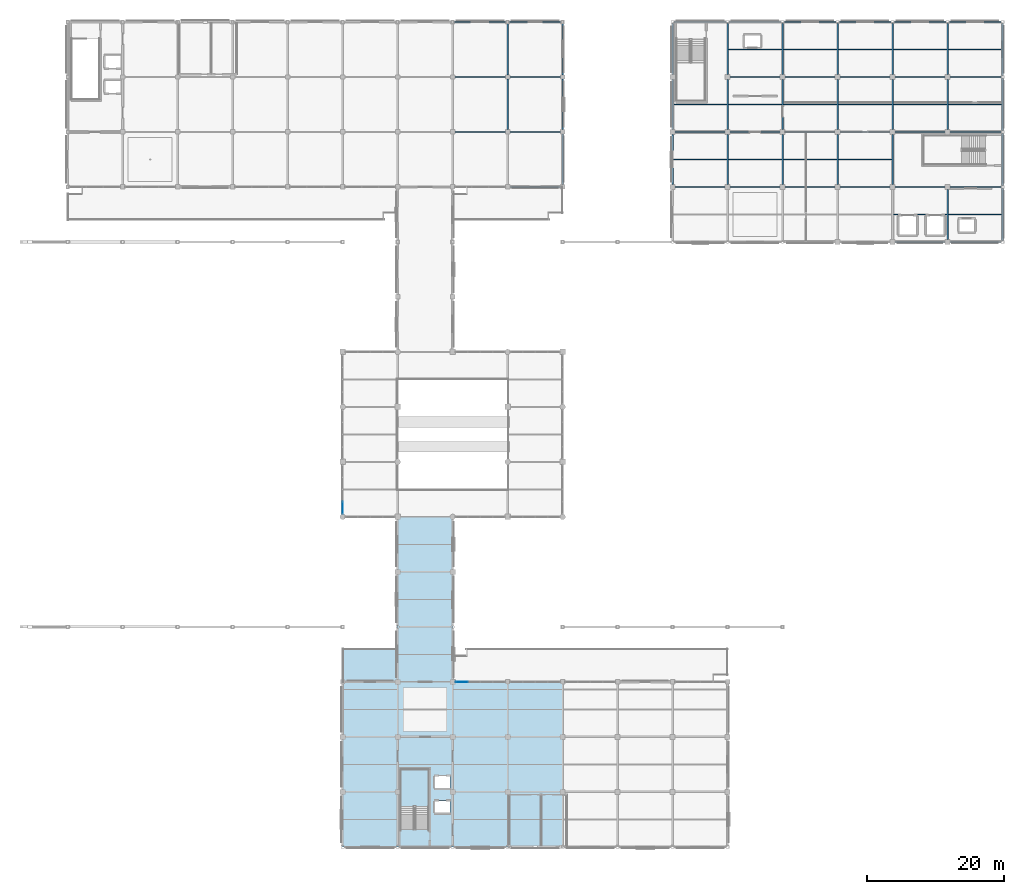
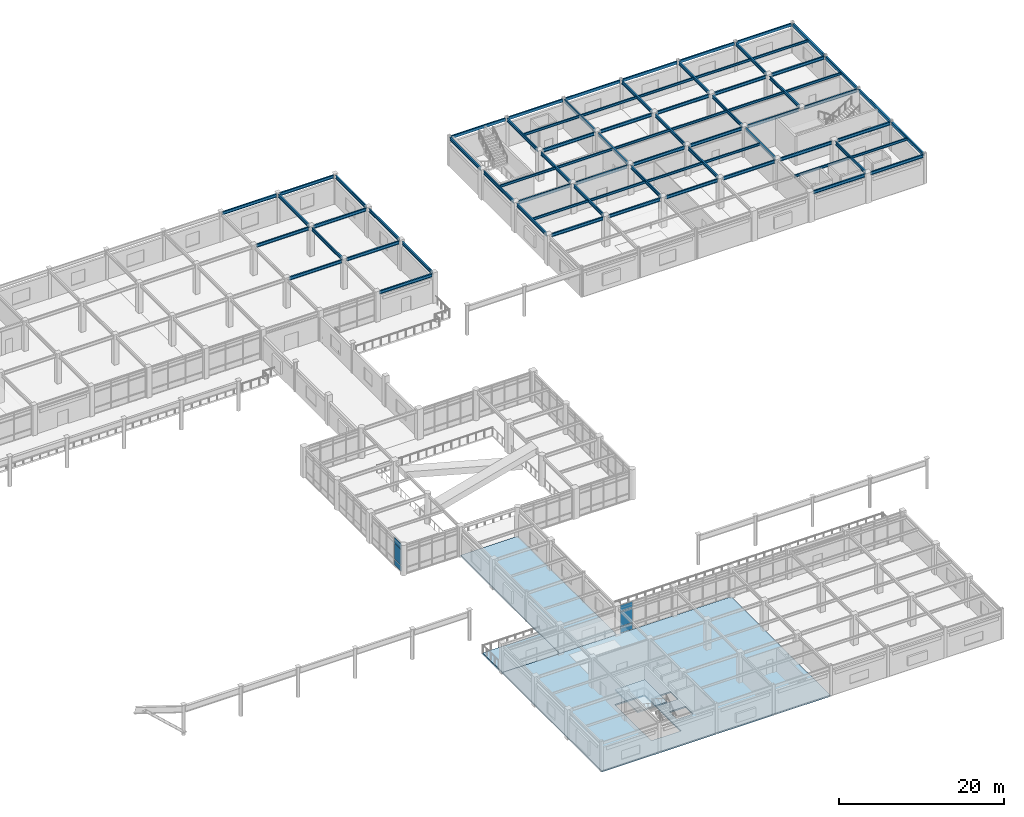
# One storey, part 54 of 78: 76 beams, 6 plates, 4 slabs, 3 elements without a shape of their own.
"""IFC4 building model written with IfcOpenShell, lengths in metres."""

from ifc_helpers import new_model, si_unit, direction, frame, origin, origin_2d, place, context, subcontext, project, spatial, polyline, rectangle, hollow_rectangle, i_section, outline, extrude, material, layer, layer_set, material_profile, profile_set, type_object, element, aggregate, save


model = new_model("IFC4")

# Units and contexts
model_context = context("Model", 3, precision=1e-05, world=origin(), true_north=direction((0.0, 1.0)))
body_context = subcontext(model_context, "Body", "Model", "MODEL_VIEW")
ifc_project = project(units=[si_unit("LENGTHUNIT", "METRE"), si_unit("AREAUNIT", "SQUARE_METRE"), si_unit("VOLUMEUNIT", "CUBIC_METRE"), si_unit("PLANEANGLEUNIT", "RADIAN"), si_unit("MASSUNIT", "GRAM", prefix="KILO")], contexts=[model_context])

# Site, building, storey
site_placement = place(None, origin())
site = spatial("IfcSite", under=ifc_project, at=site_placement, CompositionType="ELEMENT")
building_placement = place(site_placement, origin())
building = spatial("IfcBuilding", under=site, at=building_placement, Name="Solmirada Galleria", CompositionType="ELEMENT")
storey_placement = place(building_placement, frame((0.0, 0.0, 23.89990234375)))
storey = spatial("IfcBuildingStorey", under=building, at=storey_placement, Name="L05", CompositionType="ELEMENT", Elevation=23.89990234375)

# Beams
ifc_material_1 = material(Name="Steel S355 / ASTM A992 Grade 50", Category="steel")
ifc_material_profile_1 = material_profile(ifc_material_1, i_section(OverallWidth=0.194091796875, OverallDepth=0.468994140625, WebThickness=0.0126953125, FlangeThickness=0.0205078125, FilletRadius=0.013916015625, at=origin_2d()), Name="W18X71")
ifc_profile_set_1 = profile_set([ifc_material_profile_1], Name="Steel S355 / ASTM A992 Grade 50")
beam_type_1 = type_object("IfcBeamType", Name="BM-GIRD-W18B", PredefinedType="BEAM", material=ifc_profile_set_1)
for number, where, z_axis, x_axis, name in (
    (1, (128.375, 96.0, 4.065673828125), (1.0, 0.0, 0.0), (0.0, 1.0, 0.0), "Primary beam L06 X(128..136, 96)"),
    (2, (136.375, 96.0, 4.065673828125), (1.0, 0.0, 0.0), (0.0, 1.0, 0.0), "Primary beam L06 X(136..144, 96)"),
    (3, (136.375, 112.0, 4.065673828125), (1.0, 0.0, 0.0), (0.0, 1.0, 0.0), "Primary beam L06 X(136..144, 112)"),
    (4, (144.375, 96.0, 4.065673828125), (1.0, 0.0, 0.0), (0.0, 1.0, 0.0), "Primary beam L06 X(144..152, 96)"),
    (5, (144.375, 112.0, 4.065673828125), (1.0, 0.0, 0.0), (0.0, 1.0, 0.0), "Primary beam L06 X(144..152, 112)"),
    (6, (152.375, 96.0, 4.065673828125), (1.0, 0.0, 0.0), (0.0, 1.0, 0.0), "Primary beam L06 X(152..160, 96)"),
    (7, (152.375, 112.0, 4.065673828125), (1.0, 0.0, 0.0), (0.0, 1.0, 0.0), "Primary beam L06 X(152..160, 112)"),
    (8, (160.375, 96.0, 4.065673828125), (1.0, 0.0, 0.0), (0.0, 1.0, 0.0), "Primary beam L06 X(160..168, 96)"),
    (9, (160.375, 112.0, 4.065673828125), (1.0, 0.0, 0.0), (0.0, 1.0, 0.0), "Primary beam L06 X(160..168, 112)"),
):
    element("IfcBeam", number, at=place(storey_placement, frame(where, z_axis=z_axis, x_axis=x_axis)), inside=storey, type_object=beam_type_1, Name=name, PredefinedType="BEAM", context=body_context, shape_type="SweptSolid", body=[
        extrude(i_section(OverallWidth=0.194091796875, OverallDepth=0.468994140625, WebThickness=0.0126953125, FlangeThickness=0.0205078125, FilletRadius=0.013916015625, at=origin_2d()), origin(), (0.0, 0.0, 1.0), 7.25),
    ])
for number, where, z_axis, x_axis, name in (
    (10, (168.375, 96.0, 4.065673828125), (1.0, 0.0, 0.0), (0.0, 1.0, 0.0), "Primary beam L06 X(168..176, 96)"),
    (11, (168.375, 112.0, 4.065673828125), (1.0, 0.0, 0.0), (0.0, 1.0, 0.0), "Primary beam L06 X(168..176, 112)"),
):
    element("IfcBeam", number, at=place(storey_placement, frame(where, z_axis=z_axis, x_axis=x_axis)), inside=storey, type_object=beam_type_1, Name=name, PredefinedType="BEAM", context=body_context, shape_type="SweptSolid", body=[
        extrude(i_section(OverallWidth=0.194091796875, OverallDepth=0.468994140625, WebThickness=0.0126953125, FlangeThickness=0.0205078125, FilletRadius=0.013916015625, at=origin_2d()), origin(), (0.0, 0.0, 1.0), 7.422119140625),
    ])
ifc_material_profile_2 = material_profile(ifc_material_1, i_section(OverallWidth=0.193115234375, OverallDepth=0.466064453125, WebThickness=0.011474609375, FlangeThickness=0.01904296875, FilletRadius=0.013916015625, at=origin_2d()), Name="W18X65")
ifc_profile_set_2 = profile_set([ifc_material_profile_2], Name="Steel S355 / ASTM A992 Grade 50")
beam_type_2 = type_object("IfcBeamType", Name="BM-GIRD-W18C", PredefinedType="BEAM", material=ifc_profile_set_2)
for number, where, z_axis, x_axis, name in (
    (12, (128.375, 104.0, 4.067138671875), (1.0, 0.0, 0.0), (0.0, 1.0, 0.0), "Primary beam L06 X(128..136, 104)"),
    (13, (136.375, 104.0, 4.067138671875), (1.0, 0.0, 0.0), (0.0, 1.0, 0.0), "Primary beam L06 X(136..144, 104)"),
    (14, (144.375, 104.0, 4.067138671875), (1.0, 0.0, 0.0), (0.0, 1.0, 0.0), "Primary beam L06 X(144..152, 104)"),
    (15, (152.375, 104.0, 4.067138671875), (1.0, 0.0, 0.0), (0.0, 1.0, 0.0), "Primary beam L06 X(152..160, 104)"),
    (16, (160.375, 88.0, 4.067138671875), (1.0, 0.0, 0.0), (0.0, 1.0, 0.0), "Primary beam L06 X(160..168, 88)"),
    (17, (160.375, 104.0, 4.067138671875), (1.0, 0.0, 0.0), (0.0, 1.0, 0.0), "Primary beam L06 X(160..168, 104)"),
):
    element("IfcBeam", number, at=place(storey_placement, frame(where, z_axis=z_axis, x_axis=x_axis)), inside=storey, type_object=beam_type_2, Name=name, PredefinedType="BEAM", context=body_context, shape_type="SweptSolid", body=[
        extrude(i_section(OverallWidth=0.193115234375, OverallDepth=0.466064453125, WebThickness=0.011474609375, FlangeThickness=0.01904296875, FilletRadius=0.013916015625, at=origin_2d()), origin(), (0.0, 0.0, 1.0), 7.25),
    ])
for number, where, z_axis, x_axis, name in (
    (18, (168.375, 88.0, 4.067138671875), (1.0, 0.0, 0.0), (0.0, 1.0, 0.0), "Primary beam L06 X(168..176, 88)"),
    (19, (168.375, 104.0, 4.067138671875), (1.0, 0.0, 0.0), (0.0, 1.0, 0.0), "Primary beam L06 X(168..176, 104)"),
):
    element("IfcBeam", number, at=place(storey_placement, frame(where, z_axis=z_axis, x_axis=x_axis)), inside=storey, type_object=beam_type_2, Name=name, PredefinedType="BEAM", context=body_context, shape_type="SweptSolid", body=[
        extrude(i_section(OverallWidth=0.193115234375, OverallDepth=0.466064453125, WebThickness=0.011474609375, FlangeThickness=0.01904296875, FilletRadius=0.013916015625, at=origin_2d()), origin(), (0.0, 0.0, 1.0), 7.422119140625),
    ])
for number, where, z_axis, x_axis, name in (
    (20, (128.0, 96.375, 4.067138671875), (0.0, 1.0, 0.0), (-1.0, 0.0, 0.0), "Primary girder L06 Y(128, 96..104)"),
    (21, (128.0, 104.375, 4.067138671875), (0.0, 1.0, 0.0), (-1.0, 0.0, 0.0), "Primary girder L06 Y(128, 104..112)"),
):
    element("IfcBeam", number, at=place(storey_placement, frame(where, z_axis=z_axis, x_axis=x_axis)), inside=storey, type_object=beam_type_2, Name=name, PredefinedType="BEAM", context=body_context, shape_type="SweptSolid", body=[
        extrude(i_section(OverallWidth=0.193115234375, OverallDepth=0.466064453125, WebThickness=0.011474609375, FlangeThickness=0.01904296875, FilletRadius=0.013916015625, at=origin_2d()), origin(), (0.0, 0.0, 1.0), 7.25),
    ])
beam_1_placement = place(storey_placement, frame((128.0, 112.375, 4.067138671875), z_axis=(0.0, 1.0, 0.0), x_axis=(-1.0, 0.0, 0.0)))
element("IfcBeam", 22, at=beam_1_placement, inside=storey, type_object=beam_type_2, Name="Primary girder L06 Y(128, 112..120)", PredefinedType="BEAM", context=body_context, shape_type="SweptSolid", body=[
    extrude(i_section(OverallWidth=0.193115234375, OverallDepth=0.466064453125, WebThickness=0.011474609375, FlangeThickness=0.01904296875, FilletRadius=0.013916015625, at=origin_2d()), origin(), (0.0, 0.0, 1.0), 7.422119140625),
])
for number, where, z_axis, x_axis, name in (
    (23, (136.0, 96.375, 4.067138671875), (0.0, 1.0, 0.0), (-1.0, 0.0, 0.0), "Primary girder L06 Y(136, 96..104)"),
    (24, (136.0, 104.375, 4.067138671875), (0.0, 1.0, 0.0), (-1.0, 0.0, 0.0), "Primary girder L06 Y(136, 104..112)"),
):
    element("IfcBeam", number, at=place(storey_placement, frame(where, z_axis=z_axis, x_axis=x_axis)), inside=storey, type_object=beam_type_2, Name=name, PredefinedType="BEAM", context=body_context, shape_type="SweptSolid", body=[
        extrude(i_section(OverallWidth=0.193115234375, OverallDepth=0.466064453125, WebThickness=0.011474609375, FlangeThickness=0.01904296875, FilletRadius=0.013916015625, at=origin_2d()), origin(), (0.0, 0.0, 1.0), 7.25),
    ])
beam_2_placement = place(storey_placement, frame((136.0, 112.375, 4.067138671875), z_axis=(0.0, 1.0, 0.0), x_axis=(-1.0, 0.0, 0.0)))
element("IfcBeam", 25, at=beam_2_placement, inside=storey, type_object=beam_type_2, Name="Primary girder L06 Y(136, 112..120)", PredefinedType="BEAM", context=body_context, shape_type="SweptSolid", body=[
    extrude(i_section(OverallWidth=0.193115234375, OverallDepth=0.466064453125, WebThickness=0.011474609375, FlangeThickness=0.01904296875, FilletRadius=0.013916015625, at=origin_2d()), origin(), (0.0, 0.0, 1.0), 7.422119140625),
])
for number, where, z_axis, x_axis, name in (
    (26, (144.0, 96.375, 4.067138671875), (0.0, 1.0, 0.0), (-1.0, 0.0, 0.0), "Primary girder L06 Y(144, 96..104)"),
    (27, (144.0, 104.375, 4.067138671875), (0.0, 1.0, 0.0), (-1.0, 0.0, 0.0), "Primary girder L06 Y(144, 104..112)"),
):
    element("IfcBeam", number, at=place(storey_placement, frame(where, z_axis=z_axis, x_axis=x_axis)), inside=storey, type_object=beam_type_2, Name=name, PredefinedType="BEAM", context=body_context, shape_type="SweptSolid", body=[
        extrude(i_section(OverallWidth=0.193115234375, OverallDepth=0.466064453125, WebThickness=0.011474609375, FlangeThickness=0.01904296875, FilletRadius=0.013916015625, at=origin_2d()), origin(), (0.0, 0.0, 1.0), 7.25),
    ])
beam_3_placement = place(storey_placement, frame((144.0, 112.375, 4.067138671875), z_axis=(0.0, 1.0, 0.0), x_axis=(-1.0, 0.0, 0.0)))
element("IfcBeam", 28, at=beam_3_placement, inside=storey, type_object=beam_type_2, Name="Primary girder L06 Y(144, 112..120)", PredefinedType="BEAM", context=body_context, shape_type="SweptSolid", body=[
    extrude(i_section(OverallWidth=0.193115234375, OverallDepth=0.466064453125, WebThickness=0.011474609375, FlangeThickness=0.01904296875, FilletRadius=0.013916015625, at=origin_2d()), origin(), (0.0, 0.0, 1.0), 7.422119140625),
])
for number, where, z_axis, x_axis, name in (
    (29, (152.0, 96.375, 4.067138671875), (0.0, 1.0, 0.0), (-1.0, 0.0, 0.0), "Primary girder L06 Y(152, 96..104)"),
    (30, (152.0, 104.375, 4.067138671875), (0.0, 1.0, 0.0), (-1.0, 0.0, 0.0), "Primary girder L06 Y(152, 104..112)"),
):
    element("IfcBeam", number, at=place(storey_placement, frame(where, z_axis=z_axis, x_axis=x_axis)), inside=storey, type_object=beam_type_2, Name=name, PredefinedType="BEAM", context=body_context, shape_type="SweptSolid", body=[
        extrude(i_section(OverallWidth=0.193115234375, OverallDepth=0.466064453125, WebThickness=0.011474609375, FlangeThickness=0.01904296875, FilletRadius=0.013916015625, at=origin_2d()), origin(), (0.0, 0.0, 1.0), 7.25),
    ])
beam_4_placement = place(storey_placement, frame((152.0, 112.375, 4.067138671875), z_axis=(0.0, 1.0, 0.0), x_axis=(-1.0, 0.0, 0.0)))
element("IfcBeam", 31, at=beam_4_placement, inside=storey, type_object=beam_type_2, Name="Primary girder L06 Y(152, 112..120)", PredefinedType="BEAM", context=body_context, shape_type="SweptSolid", body=[
    extrude(i_section(OverallWidth=0.193115234375, OverallDepth=0.466064453125, WebThickness=0.011474609375, FlangeThickness=0.01904296875, FilletRadius=0.013916015625, at=origin_2d()), origin(), (0.0, 0.0, 1.0), 7.422119140625),
])
for number, where, z_axis, x_axis, name in (
    (32, (160.0, 96.375, 4.067138671875), (0.0, 1.0, 0.0), (-1.0, 0.0, 0.0), "Primary girder L06 Y(160, 96..104)"),
    (33, (160.0, 104.375, 4.067138671875), (0.0, 1.0, 0.0), (-1.0, 0.0, 0.0), "Primary girder L06 Y(160, 104..112)"),
):
    element("IfcBeam", number, at=place(storey_placement, frame(where, z_axis=z_axis, x_axis=x_axis)), inside=storey, type_object=beam_type_2, Name=name, PredefinedType="BEAM", context=body_context, shape_type="SweptSolid", body=[
        extrude(i_section(OverallWidth=0.193115234375, OverallDepth=0.466064453125, WebThickness=0.011474609375, FlangeThickness=0.01904296875, FilletRadius=0.013916015625, at=origin_2d()), origin(), (0.0, 0.0, 1.0), 7.25),
    ])
beam_5_placement = place(storey_placement, frame((160.0, 112.375, 4.067138671875), z_axis=(0.0, 1.0, 0.0), x_axis=(-1.0, 0.0, 0.0)))
element("IfcBeam", 34, at=beam_5_placement, inside=storey, type_object=beam_type_2, Name="Primary girder L06 Y(160, 112..120)", PredefinedType="BEAM", context=body_context, shape_type="SweptSolid", body=[
    extrude(i_section(OverallWidth=0.193115234375, OverallDepth=0.466064453125, WebThickness=0.011474609375, FlangeThickness=0.01904296875, FilletRadius=0.013916015625, at=origin_2d()), origin(), (0.0, 0.0, 1.0), 7.422119140625),
])
for number, where, z_axis, x_axis, name in (
    (35, (168.0, 88.375, 4.067138671875), (0.0, 1.0, 0.0), (-1.0, 0.0, 0.0), "Primary girder L06 Y(168, 88..96)"),
    (36, (168.0, 104.375, 4.067138671875), (0.0, 1.0, 0.0), (-1.0, 0.0, 0.0), "Primary girder L06 Y(168, 104..112)"),
):
    element("IfcBeam", number, at=place(storey_placement, frame(where, z_axis=z_axis, x_axis=x_axis)), inside=storey, type_object=beam_type_2, Name=name, PredefinedType="BEAM", context=body_context, shape_type="SweptSolid", body=[
        extrude(i_section(OverallWidth=0.193115234375, OverallDepth=0.466064453125, WebThickness=0.011474609375, FlangeThickness=0.01904296875, FilletRadius=0.013916015625, at=origin_2d()), origin(), (0.0, 0.0, 1.0), 7.25),
    ])
beam_6_placement = place(storey_placement, frame((168.0, 112.375, 4.067138671875), z_axis=(0.0, 1.0, 0.0), x_axis=(-1.0, 0.0, 0.0)))
element("IfcBeam", 37, at=beam_6_placement, inside=storey, type_object=beam_type_2, Name="Primary girder L06 Y(168, 112..120)", PredefinedType="BEAM", context=body_context, shape_type="SweptSolid", body=[
    extrude(i_section(OverallWidth=0.193115234375, OverallDepth=0.466064453125, WebThickness=0.011474609375, FlangeThickness=0.01904296875, FilletRadius=0.013916015625, at=origin_2d()), origin(), (0.0, 0.0, 1.0), 7.422119140625),
])
for number, where, z_axis, x_axis, name in (
    (38, (96.324951171875, 104.0, 4.0400390625), (1.0, 0.0, 0.0), (0.0, 1.0, 0.0), "North roof girder X=96..104"),
    (39, (96.324951171875, 112.0, 4.0400390625), (1.0, 0.0, 0.0), (0.0, 1.0, 0.0), "North roof girder X=96..104"),
):
    element("IfcBeam", number, at=place(storey_placement, frame(where, z_axis=z_axis, x_axis=x_axis)), inside=storey, type_object=beam_type_2, Name=name, PredefinedType="BEAM", context=body_context, shape_type="SweptSolid", body=[
        extrude(i_section(OverallWidth=0.193115234375, OverallDepth=0.466064453125, WebThickness=0.011474609375, FlangeThickness=0.01904296875, FilletRadius=0.013916015625, at=origin_2d()), origin(), (0.0, 0.0, 1.0), 7.35009765625),
    ])
beam_7_placement = place(storey_placement, frame((96.202880859375, 120.0, 4.0400390625), z_axis=(1.0, 0.0, 0.0), x_axis=(0.0, 1.0, 0.0)))
element("IfcBeam", 40, at=beam_7_placement, inside=storey, type_object=beam_type_2, Name="North roof girder X=96..104", PredefinedType="BEAM", context=body_context, shape_type="SweptSolid", body=[
    extrude(i_section(OverallWidth=0.193115234375, OverallDepth=0.466064453125, WebThickness=0.011474609375, FlangeThickness=0.01904296875, FilletRadius=0.013916015625, at=origin_2d()), origin(), (0.0, 0.0, 1.0), 7.59423828125),
])
for number, where, z_axis, x_axis, name in (
    (41, (104.324951171875, 96.0, 4.0400390625), (1.0, 0.0, 0.0), (0.0, 1.0, 0.0), "North roof girder X=104..112"),
    (42, (104.324951171875, 104.0, 4.0400390625), (1.0, 0.0, 0.0), (0.0, 1.0, 0.0), "North roof girder X=104..112"),
    (43, (104.324951171875, 112.0, 4.0400390625), (1.0, 0.0, 0.0), (0.0, 1.0, 0.0), "North roof girder X=104..112"),
):
    element("IfcBeam", number, at=place(storey_placement, frame(where, z_axis=z_axis, x_axis=x_axis)), inside=storey, type_object=beam_type_2, Name=name, PredefinedType="BEAM", context=body_context, shape_type="SweptSolid", body=[
        extrude(i_section(OverallWidth=0.193115234375, OverallDepth=0.466064453125, WebThickness=0.011474609375, FlangeThickness=0.01904296875, FilletRadius=0.013916015625, at=origin_2d()), origin(), (0.0, 0.0, 1.0), 7.35009765625),
    ])
beam_8_placement = place(storey_placement, frame((104.202880859375, 120.0, 4.0400390625), z_axis=(1.0, 0.0, 0.0), x_axis=(0.0, 1.0, 0.0)))
element("IfcBeam", 44, at=beam_8_placement, inside=storey, type_object=beam_type_2, Name="North roof girder X=104..112", PredefinedType="BEAM", context=body_context, shape_type="SweptSolid", body=[
    extrude(i_section(OverallWidth=0.193115234375, OverallDepth=0.466064453125, WebThickness=0.011474609375, FlangeThickness=0.01904296875, FilletRadius=0.013916015625, at=origin_2d()), origin(), (0.0, 0.0, 1.0), 7.59423828125),
])
beam_9_placement = place(storey_placement, frame((104.0, 104.324951171875, 4.0400390625), z_axis=(0.0, 1.0, 0.0), x_axis=(-1.0, 0.0, 0.0)))
element("IfcBeam", 45, at=beam_9_placement, inside=storey, type_object=beam_type_2, Name="North roof girder Y=104..112", PredefinedType="BEAM", context=body_context, shape_type="SweptSolid", body=[
    extrude(i_section(OverallWidth=0.193115234375, OverallDepth=0.466064453125, WebThickness=0.011474609375, FlangeThickness=0.01904296875, FilletRadius=0.013916015625, at=origin_2d()), origin(), (0.0, 0.0, 1.0), 7.35009765625),
])
beam_10_placement = place(storey_placement, frame((104.0, 112.324951171875, 4.0400390625), z_axis=(0.0, 1.0, 0.0), x_axis=(-1.0, 0.0, 0.0)))
element("IfcBeam", 46, at=beam_10_placement, inside=storey, type_object=beam_type_2, Name="North roof girder Y=112..120", PredefinedType="BEAM", context=body_context, shape_type="SweptSolid", body=[
    extrude(i_section(OverallWidth=0.193115234375, OverallDepth=0.466064453125, WebThickness=0.011474609375, FlangeThickness=0.01904296875, FilletRadius=0.013916015625, at=origin_2d()), origin(), (0.0, 0.0, 1.0), 7.47216796875),
])
for number, where, z_axis, x_axis, name in (
    (47, (112.0, 96.324951171875, 4.0400390625), (0.0, 1.0, 0.0), (-1.0, 0.0, 0.0), "North roof girder Y=96..104"),
    (48, (112.0, 104.324951171875, 4.0400390625), (0.0, 1.0, 0.0), (-1.0, 0.0, 0.0), "North roof girder Y=104..112"),
):
    element("IfcBeam", number, at=place(storey_placement, frame(where, z_axis=z_axis, x_axis=x_axis)), inside=storey, type_object=beam_type_2, Name=name, PredefinedType="BEAM", context=body_context, shape_type="SweptSolid", body=[
        extrude(i_section(OverallWidth=0.193115234375, OverallDepth=0.466064453125, WebThickness=0.011474609375, FlangeThickness=0.01904296875, FilletRadius=0.013916015625, at=origin_2d()), origin(), (0.0, 0.0, 1.0), 7.35009765625),
    ])
beam_11_placement = place(storey_placement, frame((112.0, 112.324951171875, 4.0400390625), z_axis=(0.0, 1.0, 0.0), x_axis=(-1.0, 0.0, 0.0)))
element("IfcBeam", 49, at=beam_11_placement, inside=storey, type_object=beam_type_2, Name="North roof girder Y=112..120", PredefinedType="BEAM", context=body_context, shape_type="SweptSolid", body=[
    extrude(i_section(OverallWidth=0.193115234375, OverallDepth=0.466064453125, WebThickness=0.011474609375, FlangeThickness=0.01904296875, FilletRadius=0.013916015625, at=origin_2d()), origin(), (0.0, 0.0, 1.0), 7.47216796875),
])
ifc_material_profile_3 = material_profile(ifc_material_1, i_section(OverallWidth=0.1708984375, OverallDepth=0.35205078125, WebThickness=0.0068359375, FlangeThickness=0.009765625, FilletRadius=0.010986328125, at=origin_2d()), Name="W14X30")
ifc_profile_set_3 = profile_set([ifc_material_profile_3], Name="Steel S355 / ASTM A992 Grade 50")
beam_type_3 = type_object("IfcBeamType", Name="BM-JST-W14B", PredefinedType="JOIST", material=ifc_profile_set_3)
for number, where, z_axis, x_axis, name in (
    (50, (128.096435546875, 100.0, 4.1240234375), (1.0, 0.0, 0.0), (0.0, 1.0, 0.0), "Composite floor joist L06 (128..136, 100.0)"),
    (51, (128.096435546875, 108.0, 4.1240234375), (1.0, 0.0, 0.0), (0.0, 1.0, 0.0), "Composite floor joist L06 (128..136, 108.0)"),
    (52, (136.096435546875, 100.0, 4.1240234375), (1.0, 0.0, 0.0), (0.0, 1.0, 0.0), "Composite floor joist L06 (136..144, 100.0)"),
    (53, (136.096435546875, 108.0, 4.1240234375), (1.0, 0.0, 0.0), (0.0, 1.0, 0.0), "Composite floor joist L06 (136..144, 108.0)"),
    (54, (136.096435546875, 116.0, 4.1240234375), (1.0, 0.0, 0.0), (0.0, 1.0, 0.0), "Composite floor joist L06 (136..144, 116.0)"),
    (55, (144.096435546875, 100.0, 4.1240234375), (1.0, 0.0, 0.0), (0.0, 1.0, 0.0), "Composite floor joist L06 (144..152, 100.0)"),
    (56, (144.096435546875, 108.0, 4.1240234375), (1.0, 0.0, 0.0), (0.0, 1.0, 0.0), "Composite floor joist L06 (144..152, 108.0)"),
    (57, (144.096435546875, 116.0, 4.1240234375), (1.0, 0.0, 0.0), (0.0, 1.0, 0.0), "Composite floor joist L06 (144..152, 116.0)"),
    (58, (152.096435546875, 100.0, 4.1240234375), (1.0, 0.0, 0.0), (0.0, 1.0, 0.0), "Composite floor joist L06 (152..160, 100.0)"),
    (59, (152.096435546875, 108.0, 4.1240234375), (1.0, 0.0, 0.0), (0.0, 1.0, 0.0), "Composite floor joist L06 (152..160, 108.0)"),
    (60, (152.096435546875, 116.0, 4.1240234375), (1.0, 0.0, 0.0), (0.0, 1.0, 0.0), "Composite floor joist L06 (152..160, 116.0)"),
    (61, (160.096435546875, 92.0, 4.1240234375), (1.0, 0.0, 0.0), (0.0, 1.0, 0.0), "Composite floor joist L06 (160..168, 92.0)"),
    (62, (160.096435546875, 108.0, 4.1240234375), (1.0, 0.0, 0.0), (0.0, 1.0, 0.0), "Composite floor joist L06 (160..168, 108.0)"),
    (63, (160.096435546875, 116.0, 4.1240234375), (1.0, 0.0, 0.0), (0.0, 1.0, 0.0), "Composite floor joist L06 (160..168, 116.0)"),
):
    element("IfcBeam", number, at=place(storey_placement, frame(where, z_axis=z_axis, x_axis=x_axis)), inside=storey, type_object=beam_type_3, Name=name, PredefinedType="JOIST", context=body_context, shape_type="SweptSolid", body=[
        extrude(i_section(OverallWidth=0.1708984375, OverallDepth=0.35205078125, WebThickness=0.0068359375, FlangeThickness=0.009765625, FilletRadius=0.010986328125, at=origin_2d()), origin(), (0.0, 0.0, 1.0), 7.80712890625),
    ])
for number, where, z_axis, x_axis, name in (
    (64, (168.096435546875, 92.0, 4.1240234375), (1.0, 0.0, 0.0), (0.0, 1.0, 0.0), "Composite floor joist L06 (168..176, 92.0)"),
    (65, (168.096435546875, 108.0, 4.1240234375), (1.0, 0.0, 0.0), (0.0, 1.0, 0.0), "Composite floor joist L06 (168..176, 108.0)"),
    (66, (168.096435546875, 116.0, 4.1240234375), (1.0, 0.0, 0.0), (0.0, 1.0, 0.0), "Composite floor joist L06 (168..176, 116.0)"),
):
    element("IfcBeam", number, at=place(storey_placement, frame(where, z_axis=z_axis, x_axis=x_axis)), inside=storey, type_object=beam_type_3, Name=name, PredefinedType="JOIST", context=body_context, shape_type="SweptSolid", body=[
        extrude(i_section(OverallWidth=0.1708984375, OverallDepth=0.35205078125, WebThickness=0.0068359375, FlangeThickness=0.009765625, FilletRadius=0.010986328125, at=origin_2d()), origin(), (0.0, 0.0, 1.0), 7.776611328125),
    ])
ifc_material_2 = material(Name="Steel S355 / ASTM A500 Grade C", Category="steel")
ifc_material_profile_4 = material_profile(ifc_material_2, hollow_rectangle(XDim=0.202880859375, YDim=0.431884765625, WallThickness=0.01171875, InnerFilletRadius=0.01171875, OuterFilletRadius=0.023681640625, at=origin_2d()), Name="HSS17X8X1/2")
ifc_profile_set_4 = profile_set([ifc_material_profile_4], Name="Steel S355 / ASTM A500 Grade C")
beam_type_4 = type_object("IfcBeamType", Name="BM-SPAND-W16B", PredefinedType="SPANDREL", material=ifc_profile_set_4)
for number, where, z_axis, x_axis, name in (
    (67, (128.202880859375, 120.0, 4.083984375), (1.0, 0.0, 0.0), (0.0, 1.0, 0.0), "Primary beam L06 X(128..136, 120)"),
    (68, (136.202880859375, 120.0, 4.083984375), (1.0, 0.0, 0.0), (0.0, 1.0, 0.0), "Primary beam L06 X(136..144, 120)"),
    (69, (144.202880859375, 120.0, 4.083984375), (1.0, 0.0, 0.0), (0.0, 1.0, 0.0), "Primary beam L06 X(144..152, 120)"),
    (70, (152.202880859375, 120.0, 4.083984375), (1.0, 0.0, 0.0), (0.0, 1.0, 0.0), "Primary beam L06 X(152..160, 120)"),
    (71, (160.202880859375, 120.0, 4.083984375), (1.0, 0.0, 0.0), (0.0, 1.0, 0.0), "Primary beam L06 X(160..168, 120)"),
    (72, (168.202880859375, 120.0, 4.083984375), (1.0, 0.0, 0.0), (0.0, 1.0, 0.0), "Primary beam L06 X(168..176, 120)"),
):
    element("IfcBeam", number, at=place(storey_placement, frame(where, z_axis=z_axis, x_axis=x_axis)), inside=storey, type_object=beam_type_4, Name=name, PredefinedType="SPANDREL", context=body_context, shape_type="SweptSolid", body=[
        extrude(hollow_rectangle(XDim=0.202880859375, YDim=0.431884765625, WallThickness=0.01171875, InnerFilletRadius=0.01171875, OuterFilletRadius=0.023681640625, at=origin_2d()), origin(), (0.0, 0.0, 1.0), 7.59423828125),
    ])
ifc_material_profile_5 = material_profile(ifc_material_2, hollow_rectangle(XDim=0.25390625, YDim=0.45703125, WallThickness=0.01171875, InnerFilletRadius=0.01171875, OuterFilletRadius=0.023681640625, at=origin_2d()), Name="HSS18X10X1/2")
ifc_profile_set_5 = profile_set([ifc_material_profile_5], Name="Steel S355 / ASTM A500 Grade C")
beam_type_5 = type_object("IfcBeamType", Name="BM-SPAND-W18", PredefinedType="SPANDREL", material=ifc_profile_set_5)
for number, where, z_axis, x_axis, name in (
    (73, (176.0, 88.202880859375, 4.071533203125), (0.0, 1.0, 0.0), (-1.0, 0.0, 0.0), "Primary girder L06 Y(176, 88..96)"),
    (74, (176.0, 96.202880859375, 4.071533203125), (0.0, 1.0, 0.0), (-1.0, 0.0, 0.0), "Primary girder L06 Y(176, 96..104)"),
    (75, (176.0, 104.202880859375, 4.071533203125), (0.0, 1.0, 0.0), (-1.0, 0.0, 0.0), "Primary girder L06 Y(176, 104..112)"),
    (76, (176.0, 112.202880859375, 4.071533203125), (0.0, 1.0, 0.0), (-1.0, 0.0, 0.0), "Primary girder L06 Y(176, 112..120)"),
):
    element("IfcBeam", number, at=place(storey_placement, frame(where, z_axis=z_axis, x_axis=x_axis)), inside=storey, type_object=beam_type_5, Name=name, PredefinedType="SPANDREL", context=body_context, shape_type="SweptSolid", body=[
        extrude(hollow_rectangle(XDim=0.25390625, YDim=0.45703125, WallThickness=0.01171875, InnerFilletRadius=0.01171875, OuterFilletRadius=0.023681640625, at=origin_2d()), origin(), (0.0, 0.0, 1.0), 7.59423828125),
    ])

# Curtain wall, plates
ifc_material_3 = material(Name="Impact-resistant low-E double glazing", Category="glass")
curtain_wall_type_1 = type_object("IfcCurtainWallType", Name="CW-FZ3-L05-B4-L072", PredefinedType="NOTDEFINED", material=ifc_material_3)
curtain_wall_1_placement = place(storey_placement, origin())
curtain_wall_1 = element("IfcCurtainWall", 77, at=curtain_wall_1_placement, inside=storey, type_object=curtain_wall_type_1, Name="Terrace and arcade storefront CW-L05-164", PredefinedType="NOTDEFINED")
ifc_layer_1 = layer(ifc_material_3, 0.028076171875)
ifc_layer_set_1 = layer_set([ifc_layer_1], Name="Impact-resistant low-E double glazing")
plate_type_1 = type_object("IfcPlateType", Name="CW-PNL-CW33-T28", PredefinedType="CURTAIN_PANEL", material=ifc_layer_set_1)
plate_1_placement = place(storey_placement, frame((80.0, 49.31640625, 0.06005859375), z_axis=(0.0, 0.0, 1.0), x_axis=(0.0, 1.0, 0.0)))
plate_1 = element("IfcPlate", 78, at=plate_1_placement, type_object=plate_type_1, Name="CW33 panel 1.1", PredefinedType="CURTAIN_PANEL", context=body_context, shape_type="SweptSolid", body=[
    extrude(rectangle(XDim=1.708984375, YDim=0.028076171875, at=origin_2d()), origin(), (0.0, 0.0, 1.0), 0.81005859375),
])
plate_2_placement = place(storey_placement, frame((80.0, 49.31640625, 0.929931640625), z_axis=(0.0, 0.0, 1.0), x_axis=(0.0, 1.0, 0.0)))
plate_2 = element("IfcPlate", 79, at=plate_2_placement, type_object=plate_type_1, Name="CW33 panel 1.2", PredefinedType="CURTAIN_PANEL", context=body_context, shape_type="SweptSolid", body=[
    extrude(rectangle(XDim=1.708984375, YDim=0.028076171875, at=origin_2d()), origin(), (0.0, 0.0, 1.0), 2.35009765625),
])
plate_3_placement = place(storey_placement, frame((80.0, 49.31640625, 3.33984375), z_axis=(0.0, 0.0, 1.0), x_axis=(0.0, 1.0, 0.0)))
plate_3 = element("IfcPlate", 80, at=plate_3_placement, type_object=plate_type_1, Name="CW33 panel 1.3", PredefinedType="CURTAIN_PANEL", context=body_context, shape_type="SweptSolid", body=[
    extrude(rectangle(XDim=1.708984375, YDim=0.028076171875, at=origin_2d()), origin(), (0.0, 0.0, 1.0), 0.820068359375),
])
aggregate(curtain_wall_1, [plate_1, plate_2, plate_3])

curtain_wall_type_2 = type_object("IfcCurtainWallType", Name="CW-FZ5-L05-B4-L073", PredefinedType="NOTDEFINED", material=ifc_material_3)
curtain_wall_2_placement = place(storey_placement, origin())
curtain_wall_2 = element("IfcCurtainWall", 81, at=curtain_wall_2_placement, inside=storey, type_object=curtain_wall_type_2, Name="Terrace and arcade storefront CW-L05-181", PredefinedType="NOTDEFINED")
ifc_layer_2 = layer(ifc_material_3, 0.0419921875)
ifc_layer_set_2 = layer_set([ifc_layer_2], Name="Impact-resistant low-E double glazing")
plate_type_2 = type_object("IfcPlateType", Name="CW-PNL-CW36-T42", PredefinedType="CURTAIN_PANEL", material=ifc_layer_set_2)
plate_4_placement = place(storey_placement, frame((97.303955078125, 24.0, 0.06005859375), z_axis=(0.0, 0.0, 1.0), x_axis=(1.0, 0.0, 0.0)))
plate_4 = element("IfcPlate", 82, at=plate_4_placement, type_object=plate_type_2, Name="CW36 panel 1.1", PredefinedType="CURTAIN_PANEL", context=body_context, shape_type="SweptSolid", body=[
    extrude(rectangle(XDim=1.73388671875, YDim=0.0419921875, at=origin_2d()), origin(), (0.0, 0.0, 1.0), 0.929931640625),
])
plate_5_placement = place(storey_placement, frame((97.303955078125, 24.0, 1.050048828125), z_axis=(0.0, 0.0, 1.0), x_axis=(1.0, 0.0, 0.0)))
plate_5 = element("IfcPlate", 83, at=plate_5_placement, type_object=plate_type_2, Name="CW36 panel 1.2", PredefinedType="CURTAIN_PANEL", context=body_context, shape_type="SweptSolid", body=[
    extrude(rectangle(XDim=1.73388671875, YDim=0.0419921875, at=origin_2d()), origin(), (0.0, 0.0, 1.0), 2.1298828125),
])
plate_6_placement = place(storey_placement, frame((97.303955078125, 24.0, 3.240234375), z_axis=(0.0, 0.0, 1.0), x_axis=(1.0, 0.0, 0.0)))
plate_6 = element("IfcPlate", 84, at=plate_6_placement, type_object=plate_type_2, Name="CW36 panel 1.3", PredefinedType="CURTAIN_PANEL", context=body_context, shape_type="SweptSolid", body=[
    extrude(rectangle(XDim=1.73388671875, YDim=0.0419921875, at=origin_2d()), origin(), (0.0, 0.0, 1.0), 0.919921875),
])
aggregate(curtain_wall_2, [plate_4, plate_5, plate_6])

# Slabs
ifc_material_4 = material(Name="Concrete C35/45", Category="concrete")
ifc_layer_3 = layer(ifc_material_4, 0.199951171875)
ifc_layer_set_3 = layer_set([ifc_layer_3], Name="Concrete C35/45")
slab_type_1 = type_object("IfcSlabType", Name="SLB-FLOOR-200", PredefinedType="FLOOR", material=ifc_layer_set_3)
slab_1_placement = place(storey_placement, frame((0.0, 0.0, -0.199951171875)))
element("IfcSlab", 85, at=slab_1_placement, inside=storey, type_object=slab_type_1, Name="Slab L05-SOUTH-W", PredefinedType="FLOOR", context=body_context, shape_type="SweptSolid", body=[
    extrude(outline(polyline([(80.0, 0.0), (112.0, 0.0), (112.0, 24.0), (80.0, 24.0), (80.0, 0.0)]), holes=[polyline([(88.39990234375, 2.5), (92.550048828125, 2.5), (92.550048828125, 11.300048828125), (88.39990234375, 11.300048828125), (88.39990234375, 2.5)]), polyline([(93.375, 4.89990234375), (95.625, 4.89990234375), (95.625, 6.699951171875), (93.375, 6.699951171875), (93.375, 4.89990234375)]), polyline([(93.375, 8.5), (95.625, 8.5), (95.625, 10.300048828125), (93.375, 10.300048828125), (93.375, 8.5)])]), origin(), (0.0, 0.0, 1.0), 0.199951171875),
])
slab_2_placement = place(storey_placement, frame((0.0, 0.0, -0.199951171875)))
element("IfcSlab", 86, at=slab_2_placement, inside=storey, type_object=slab_type_1, Name="Slab L05-BRG-S", PredefinedType="FLOOR", context=body_context, shape_type="SweptSolid", body=[
    extrude(outline(polyline([(88.0, 24.0), (96.0, 24.0), (96.0, 48.0), (88.0, 48.0), (88.0, 24.0)])), origin(), (0.0, 0.0, 1.0), 0.199951171875),
])

# Stair, slab
stair_type = type_object("IfcStairType", Name="STR-DOG-200-H45", PredefinedType="HALF_TURN_STAIR", material=ifc_material_4)
stair_placement = place(storey_placement, origin())
stair = element("IfcStair", 87, at=stair_placement, inside=storey, type_object=stair_type, Name="L05 South Sales Core Exit Stair ST2", PredefinedType="HALF_TURN_STAIR")
ifc_layer_4 = layer(ifc_material_4, 0.199951171875)
ifc_layer_set_4 = layer_set([ifc_layer_4], Name="Concrete C35/45")
slab_type_2 = type_object("IfcSlabType", Name="SLB-LAND-200", PredefinedType="LANDING", material=ifc_layer_set_4)
slab_3_placement = place(storey_placement, frame((0.0, 0.0, 2.050048828125)))
slab_3 = element("IfcSlab", 88, at=slab_3_placement, type_object=slab_type_2, Name="ST2 landing 1", PredefinedType="LANDING", context=body_context, shape_type="SweptSolid", body=[
    extrude(outline(polyline([(92.550048828125, 5.860107421875), (92.550048828125, 11.300048828125), (88.39990234375, 11.300048828125), (88.39990234375, 5.860107421875), (92.550048828125, 5.860107421875)])), origin(), (0.0, 0.0, 1.0), 0.199951171875),
])
aggregate(stair, [slab_3])

# Slab
ifc_layer_5 = layer(ifc_material_4, 0.239990234375)
ifc_layer_set_5 = layer_set([ifc_layer_5], Name="Concrete C35/45")
slab_type_3 = type_object("IfcSlabType", Name="SLB-TERR-240", PredefinedType="FLOOR", material=ifc_layer_set_5)
slab_4_placement = place(storey_placement, frame((0.0, 0.0, -0.239990234375)))
element("IfcSlab", 89, at=slab_4_placement, inside=storey, type_object=slab_type_3, Name="Slab L05-TERR-SW", PredefinedType="FLOOR", context=body_context, shape_type="SweptSolid", body=[
    extrude(outline(polyline([(80.0, 24.0), (88.0, 24.0), (88.0, 28.800048828125), (80.0, 28.800048828125), (80.0, 24.0)])), origin(), (0.0, 0.0, 1.0), 0.239990234375),
])

save(model, "model.ifc")
